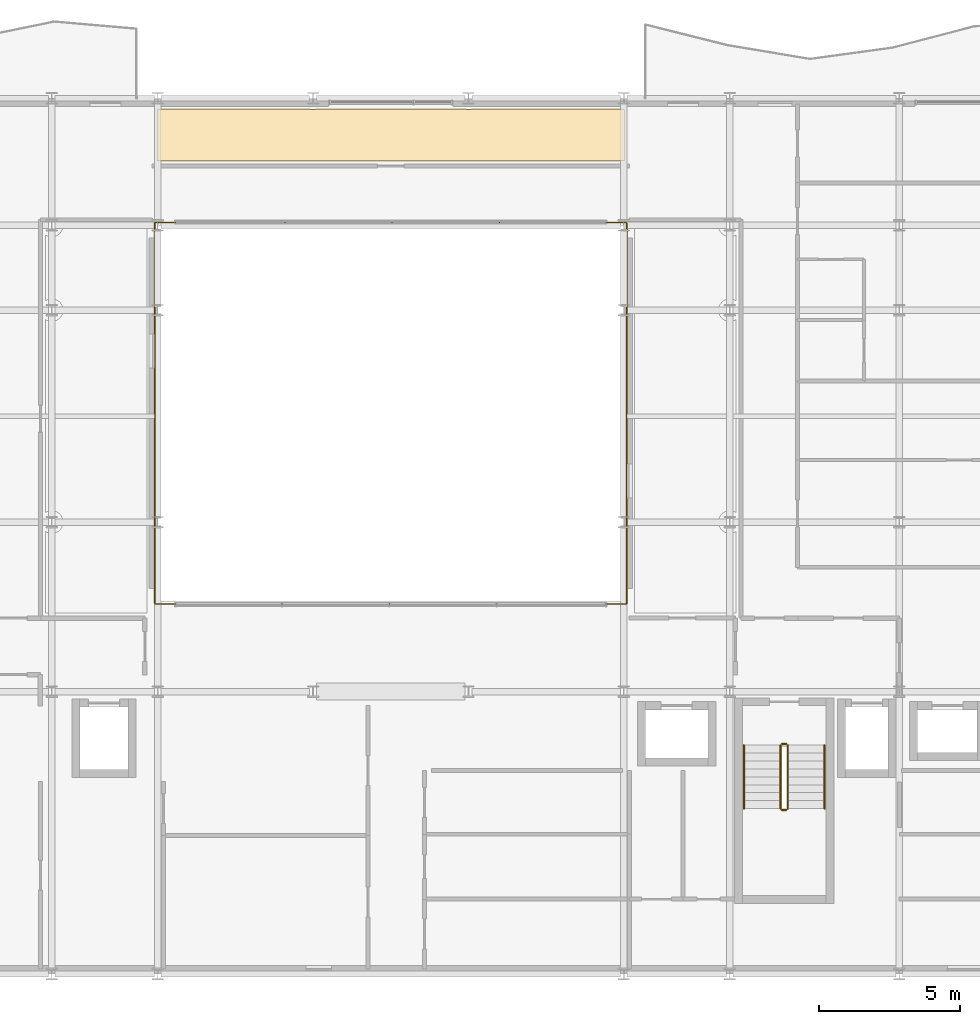
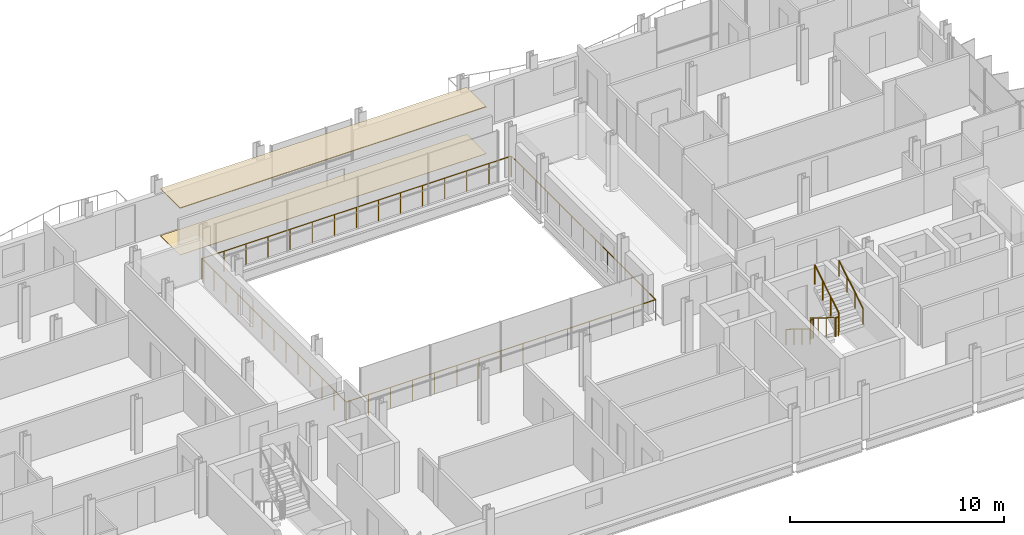
# One storey, part 38 of 39: 8 railings, 2 coverings.
"""IFC4 building model written with IfcOpenShell, lengths in metres."""

from ifc_helpers import new_model, si_unit, direction, frame, origin, origin_2d, place, context, subcontext, project, spatial, polyline, circle, outline, extrude, material, layer, layer_set, type_object, element, save


model = new_model("IFC4")

# Units and contexts
model_context = context("Model", 3, precision=1e-05, world=origin(), true_north=direction((0.0, 1.0)))
body_context = subcontext(model_context, "Body", "Model", "MODEL_VIEW")
ifc_project = project(units=[si_unit("LENGTHUNIT", "METRE"), si_unit("AREAUNIT", "SQUARE_METRE"), si_unit("VOLUMEUNIT", "CUBIC_METRE"), si_unit("PLANEANGLEUNIT", "RADIAN"), si_unit("MASSUNIT", "GRAM", prefix="KILO")], contexts=[model_context])

# Site, building, storey
site_placement = place(None, origin())
site = spatial("IfcSite", under=ifc_project, at=site_placement, CompositionType="ELEMENT")
building_placement = place(site_placement, origin())
building = spatial("IfcBuilding", under=site, at=building_placement, Name="Brevholm Reach", CompositionType="ELEMENT")
storey_placement = place(building_placement, frame((0.0, 0.0, 154.199951171875)))
storey = spatial("IfcBuildingStorey", under=building, at=storey_placement, Name="L46", CompositionType="ELEMENT", Elevation=154.199951171875)

# Coverings
ifc_material_1 = material(Name="Perforated Mineral-Fibre Class-A Acoustic Suspended Ceiling", Category="gypsum")
ifc_layer_1 = layer(ifc_material_1, 0.044921875)
ifc_layer_set_1 = layer_set([ifc_layer_1], Name="Perforated Mineral-Fibre Class-A Acoustic Suspended Ceiling")
covering_type_1 = type_object("IfcCoveringType", Name="COV-CLG-AC", PredefinedType="CEILING", material=ifc_layer_set_1)
covering_1_placement = place(storey_placement, frame((0.0, 0.0, 2.6650390625)))
element("IfcCovering", 1, at=covering_1_placement, inside=storey, type_object=covering_type_1, Name="L46 Suspended Ceiling L46-58", PredefinedType="CEILING", context=body_context, shape_type="SweptSolid", body=[
    extrude(outline(polyline([(27.126220703125, 30.6201171875), (27.1337890625, 30.6171875), (27.172119140625, 30.607666015625), (27.210693359375, 30.601806640625), (27.25, 30.60009765625), (27.289306640625, 30.601806640625), (27.327880859375, 30.607666015625), (27.3662109375, 30.6171875), (27.373779296875, 30.6201171875), (32.626220703125, 30.6201171875), (32.6337890625, 30.6171875), (32.672119140625, 30.607666015625), (32.710693359375, 30.601806640625), (32.75, 30.60009765625), (32.789306640625, 30.601806640625), (32.827880859375, 30.607666015625), (32.8662109375, 30.6171875), (32.873779296875, 30.6201171875), (38.126220703125, 30.6201171875), (38.1337890625, 30.6171875), (38.172119140625, 30.607666015625), (38.210693359375, 30.601806640625), (38.25, 30.60009765625), (38.26611328125, 30.600830078125), (38.26611328125, 28.783935546875), (21.73388671875, 28.783935546875), (21.73388671875, 30.600830078125), (21.75, 30.60009765625), (21.789306640625, 30.601806640625), (21.827880859375, 30.607666015625), (21.8662109375, 30.6171875), (21.873779296875, 30.6201171875), (27.126220703125, 30.6201171875)])), origin(), (0.0, 0.0, 1.0), 0.044921875),
])
ifc_material_2 = material(Name="Engineered European Oak Acoustic Plank Flooring", Category="timber")
ifc_layer_2 = layer(ifc_material_2, 0.02197265625)
ifc_layer_set_2 = layer_set([ifc_layer_2], Name="Engineered European Oak Acoustic Plank Flooring")
covering_type_2 = type_object("IfcCoveringType", Name="COV-FLR-OAK", PredefinedType="FLOORING", material=ifc_layer_set_2)
covering_2_placement = place(storey_placement, origin())
element("IfcCovering", 2, at=covering_2_placement, inside=storey, type_object=covering_type_2, Name="L46 Floor Finish L46-58", PredefinedType="FLOORING", context=body_context, shape_type="SweptSolid", body=[
    extrude(outline(polyline([(27.126220703125, 30.6201171875), (27.1337890625, 30.6171875), (27.172119140625, 30.607666015625), (27.210693359375, 30.601806640625), (27.25, 30.60009765625), (27.289306640625, 30.601806640625), (27.327880859375, 30.607666015625), (27.3662109375, 30.6171875), (27.373779296875, 30.6201171875), (32.626220703125, 30.6201171875), (32.6337890625, 30.6171875), (32.672119140625, 30.607666015625), (32.710693359375, 30.601806640625), (32.75, 30.60009765625), (32.789306640625, 30.601806640625), (32.827880859375, 30.607666015625), (32.8662109375, 30.6171875), (32.873779296875, 30.6201171875), (38.126220703125, 30.6201171875), (38.1337890625, 30.6171875), (38.172119140625, 30.607666015625), (38.210693359375, 30.601806640625), (38.25, 30.60009765625), (38.26611328125, 30.600830078125), (38.26611328125, 28.783935546875), (21.73388671875, 28.783935546875), (21.73388671875, 30.600830078125), (21.75, 30.60009765625), (21.789306640625, 30.601806640625), (21.827880859375, 30.607666015625), (21.8662109375, 30.6171875), (21.873779296875, 30.6201171875), (27.126220703125, 30.6201171875)])), origin(), (0.0, 0.0, 1.0), 0.02197265625),
])

# Railings
ifc_material_3 = material(Name="Brushed Stainless Steel EN 1.4401 Continuous Handrail", Category="steel")
railing_type_1 = type_object("IfcRailingType", Name="RAL-HND-950", PredefinedType="HANDRAIL", material=ifc_material_3)
railing_1_placement = place(storey_placement, frame((42.5, 8.10009765625, 0.17236328125)))
element("IfcRailing", 3, at=railing_1_placement, inside=storey, type_object=railing_type_1, Name="L46 ST-2 stair handrail 1", PredefinedType="HANDRAIL", context=body_context, shape_type="SweptSolid", body=[
    extrude(circle(Radius=0.02392578125, at=origin_2d()), frame((0.0, 0.0, 0.8857421875), z_axis=(0.0, -0.85178898068, 0.523885037382), x_axis=(1.0, 0.0, 0.0)), (0.0, 0.0, 1.0), 2.629638671875),
    extrude(circle(Radius=0.02099609375, at=origin_2d()), origin(), (0.0, 0.0, 1.0), 0.86181640625),
    extrude(circle(Radius=0.02099609375, at=origin_2d()), frame((0.0, -0.74658203125, 0.459228515625)), (0.0, 0.0, 1.0), 0.86181640625),
    extrude(circle(Radius=0.02099609375, at=origin_2d()), frame((0.0, -1.493408203125, 0.91845703125)), (0.0, 0.0, 1.0), 0.86181640625),
    extrude(circle(Radius=0.02099609375, at=origin_2d()), frame((0.0, -2.239990234375, 1.377685546875)), (0.0, 0.0, 1.0), 0.86181640625),
])
railing_2_placement = place(storey_placement, frame((45.35009765625, 5.860107421875, 1.72216796875)))
element("IfcRailing", 4, at=railing_2_placement, inside=storey, type_object=railing_type_1, Name="L46 ST-2 stair handrail 2", PredefinedType="HANDRAIL", context=body_context, shape_type="SweptSolid", body=[
    extrude(circle(Radius=0.02392578125, at=origin_2d()), frame((0.0, 0.0, 0.8857421875), z_axis=(0.0, 0.851747552033, 0.523952390591), x_axis=(-1.0, 0.0, 0.0)), (0.0, 0.0, 1.0), 2.6298828125),
    extrude(circle(Radius=0.02099609375, at=origin_2d()), origin(), (0.0, 0.0, 1.0), 0.86181640625),
    extrude(circle(Radius=0.02099609375, at=origin_2d()), frame((0.0, 0.74658203125, 0.459228515625)), (0.0, 0.0, 1.0), 0.86181640625),
    extrude(circle(Radius=0.02099609375, at=origin_2d()), frame((0.0, 1.493408203125, 0.918701171875)), (0.0, 0.0, 1.0), 0.86181640625),
    extrude(circle(Radius=0.02099609375, at=origin_2d()), frame((0.0, 2.239990234375, 1.3779296875)), (0.0, 0.0, 1.0), 0.86181640625),
])
ifc_material_4 = material(Name="Painted Tubular Galvanised Steel S275JR Stair Guard", Category="steel")
railing_type_2 = type_object("IfcRailingType", Name="RAL-STG-1120", PredefinedType="BALUSTRADE", material=ifc_material_4)
railing_3_placement = place(storey_placement, frame((43.800048828125, 8.10009765625, 0.17236328125)))
element("IfcRailing", 5, at=railing_3_placement, inside=storey, type_object=railing_type_2, Name="L46 ST-2 stair guard 1", PredefinedType="BALUSTRADE", context=body_context, shape_type="SweptSolid", body=[
    extrude(circle(Radius=0.02392578125, at=origin_2d()), frame((0.0, 0.0, 1.076171875), z_axis=(0.0, -0.85178898068, 0.523885037382), x_axis=(1.0, 0.0, 0.0)), (0.0, 0.0, 1.0), 2.629638671875),
    extrude(circle(Radius=0.02099609375, at=origin_2d()), origin(), (0.0, 0.0, 1.0), 1.052001953125),
    extrude(circle(Radius=0.02099609375, at=origin_2d()), frame((0.0, -0.74658203125, 0.459228515625)), (0.0, 0.0, 1.0), 1.052001953125),
    extrude(circle(Radius=0.02099609375, at=origin_2d()), frame((0.0, -1.493408203125, 0.91845703125)), (0.0, 0.0, 1.0), 1.052001953125),
    extrude(circle(Radius=0.02099609375, at=origin_2d()), frame((0.0, -2.239990234375, 1.377685546875)), (0.0, 0.0, 1.0), 1.052001953125),
])
railing_4_placement = place(storey_placement, frame((43.85009765625, 5.81005859375, 1.550048828125)))
element("IfcRailing", 6, at=railing_4_placement, inside=storey, type_object=railing_type_2, Name="L46 ST-2 stair guard 2", PredefinedType="BALUSTRADE", context=body_context, shape_type="SweptSolid", body=[
    extrude(circle(Radius=0.02392578125, at=origin_2d()), frame((0.0, 0.0, 1.076171875), z_axis=(1.0, 0.0, 0.0), x_axis=(0.0, 1.0, 0.0)), (0.0, 0.0, 1.0), 0.14990234375),
    extrude(circle(Radius=0.02099609375, at=origin_2d()), origin(), (0.0, 0.0, 1.0), 1.052001953125),
    extrude(circle(Radius=0.02099609375, at=origin_2d()), frame((0.14990234375, 0.0, 0.0)), (0.0, 0.0, 1.0), 1.052001953125),
])
railing_5_placement = place(storey_placement, frame((44.050048828125, 5.860107421875, 1.72216796875)))
element("IfcRailing", 7, at=railing_5_placement, inside=storey, type_object=railing_type_2, Name="L46 ST-2 stair guard 3", PredefinedType="BALUSTRADE", context=body_context, shape_type="SweptSolid", body=[
    extrude(circle(Radius=0.02392578125, at=origin_2d()), frame((0.0, 0.0, 1.076171875), z_axis=(0.0, 0.851747552033, 0.523952390591), x_axis=(-1.0, 0.0, 0.0)), (0.0, 0.0, 1.0), 2.6298828125),
    extrude(circle(Radius=0.02099609375, at=origin_2d()), origin(), (0.0, 0.0, 1.0), 1.052001953125),
    extrude(circle(Radius=0.02099609375, at=origin_2d()), frame((0.0, 0.74658203125, 0.459228515625)), (0.0, 0.0, 1.0), 1.052001953125),
    extrude(circle(Radius=0.02099609375, at=origin_2d()), frame((0.0, 1.493408203125, 0.918701171875)), (0.0, 0.0, 1.0), 1.052001953125),
    extrude(circle(Radius=0.02099609375, at=origin_2d()), frame((0.0, 2.239990234375, 1.3779296875)), (0.0, 0.0, 1.0), 1.052001953125),
])
railing_6_placement = place(storey_placement, frame((43.85009765625, 8.14990234375, 0.0)))
element("IfcRailing", 8, at=railing_6_placement, inside=storey, type_object=railing_type_2, Name="L46 ST-2 stair guard 4", PredefinedType="BALUSTRADE", context=body_context, shape_type="SweptSolid", body=[
    extrude(circle(Radius=0.02392578125, at=origin_2d()), frame((0.0, 0.0, 1.076171875), z_axis=(1.0, 0.0, 0.0), x_axis=(0.0, 1.0, 0.0)), (0.0, 0.0, 1.0), 0.14990234375),
    extrude(circle(Radius=0.02099609375, at=origin_2d()), origin(), (0.0, 0.0, 1.0), 1.052001953125),
    extrude(circle(Radius=0.02099609375, at=origin_2d()), frame((0.14990234375, 0.0, 0.0)), (0.0, 0.0, 1.0), 1.052001953125),
])
ifc_material_5 = material(Name="Brushed Stainless Steel EN 1.4401 and Laminated Glass", Category="steel")
railing_type_3 = type_object("IfcRailingType", Name="RAL-TERR-1200", PredefinedType="BALUSTRADE", material=ifc_material_5)
railing_7_placement = place(storey_placement, frame((21.64990234375, 13.10009765625, 0.0)))
element("IfcRailing", 9, at=railing_7_placement, inside=storey, type_object=railing_type_3, Name="L46 Guard Balustrade RAL-L46-AT-VOID-SW", PredefinedType="BALUSTRADE", context=body_context, shape_type="SweptSolid", body=[
    extrude(circle(Radius=0.02392578125, at=origin_2d()), frame((0.0, 0.0, 1.17578125), z_axis=(1.0, 0.0, 0.0), x_axis=(0.0, 1.0, 0.0)), (0.0, 0.0, 1.0), 16.7001953125),
    extrude(circle(Radius=0.02392578125, at=origin_2d()), frame((16.7001953125, 0.0, 1.17578125), z_axis=(0.0, 1.0, 0.0), x_axis=(-1.0, 0.0, 0.0)), (0.0, 0.0, 1.0), 13.47998046875),
    extrude(circle(Radius=0.02099609375, at=origin_2d()), origin(), (0.0, 0.0, 1.0), 1.15185546875),
    extrude(circle(Radius=0.02099609375, at=origin_2d()), frame((1.19287109375, 0.0, 0.0)), (0.0, 0.0, 1.0), 1.15185546875),
    extrude(circle(Radius=0.02099609375, at=origin_2d()), frame((2.3857421875, 0.0, 0.0)), (0.0, 0.0, 1.0), 1.15185546875),
    extrude(circle(Radius=0.02099609375, at=origin_2d()), frame((3.57861328125, 0.0, 0.0)), (0.0, 0.0, 1.0), 1.15185546875),
    extrude(circle(Radius=0.02099609375, at=origin_2d()), frame((4.771484375, 0.0, 0.0)), (0.0, 0.0, 1.0), 1.15185546875),
    extrude(circle(Radius=0.02099609375, at=origin_2d()), frame((5.96435546875, 0.0, 0.0)), (0.0, 0.0, 1.0), 1.15185546875),
    extrude(circle(Radius=0.02099609375, at=origin_2d()), frame((7.1572265625, 0.0, 0.0)), (0.0, 0.0, 1.0), 1.15185546875),
    extrude(circle(Radius=0.02099609375, at=origin_2d()), frame((8.35009765625, 0.0, 0.0)), (0.0, 0.0, 1.0), 1.15185546875),
    extrude(circle(Radius=0.02099609375, at=origin_2d()), frame((9.54296875, 0.0, 0.0)), (0.0, 0.0, 1.0), 1.15185546875),
    extrude(circle(Radius=0.02099609375, at=origin_2d()), frame((10.73583984375, 0.0, 0.0)), (0.0, 0.0, 1.0), 1.15185546875),
    extrude(circle(Radius=0.02099609375, at=origin_2d()), frame((11.9287109375, 0.0, 0.0)), (0.0, 0.0, 1.0), 1.15185546875),
    extrude(circle(Radius=0.02099609375, at=origin_2d()), frame((13.12158203125, 0.0, 0.0)), (0.0, 0.0, 1.0), 1.15185546875),
    extrude(circle(Radius=0.02099609375, at=origin_2d()), frame((14.314453125, 0.0, 0.0)), (0.0, 0.0, 1.0), 1.15185546875),
    extrude(circle(Radius=0.02099609375, at=origin_2d()), frame((15.50732421875, 0.0, 0.0)), (0.0, 0.0, 1.0), 1.15185546875),
    extrude(circle(Radius=0.02099609375, at=origin_2d()), frame((16.7001953125, 0.0, 0.0)), (0.0, 0.0, 1.0), 1.15185546875),
    extrude(circle(Radius=0.02099609375, at=origin_2d()), frame((16.7001953125, 1.123291015625, 0.0)), (0.0, 0.0, 1.0), 1.15185546875),
    extrude(circle(Radius=0.02099609375, at=origin_2d()), frame((16.7001953125, 2.24658203125, 0.0)), (0.0, 0.0, 1.0), 1.15185546875),
    extrude(circle(Radius=0.02099609375, at=origin_2d()), frame((16.7001953125, 3.3701171875, 0.0)), (0.0, 0.0, 1.0), 1.15185546875),
    extrude(circle(Radius=0.02099609375, at=origin_2d()), frame((16.7001953125, 4.493408203125, 0.0)), (0.0, 0.0, 1.0), 1.15185546875),
    extrude(circle(Radius=0.02099609375, at=origin_2d()), frame((16.7001953125, 5.61669921875, 0.0)), (0.0, 0.0, 1.0), 1.15185546875),
    extrude(circle(Radius=0.02099609375, at=origin_2d()), frame((16.7001953125, 6.739990234375, 0.0)), (0.0, 0.0, 1.0), 1.15185546875),
    extrude(circle(Radius=0.02099609375, at=origin_2d()), frame((16.7001953125, 7.86328125, 0.0)), (0.0, 0.0, 1.0), 1.15185546875),
    extrude(circle(Radius=0.02099609375, at=origin_2d()), frame((16.7001953125, 8.986572265625, 0.0)), (0.0, 0.0, 1.0), 1.15185546875),
    extrude(circle(Radius=0.02099609375, at=origin_2d()), frame((16.7001953125, 10.10986328125, 0.0)), (0.0, 0.0, 1.0), 1.15185546875),
    extrude(circle(Radius=0.02099609375, at=origin_2d()), frame((16.7001953125, 11.2333984375, 0.0)), (0.0, 0.0, 1.0), 1.15185546875),
    extrude(circle(Radius=0.02099609375, at=origin_2d()), frame((16.7001953125, 12.356689453125, 0.0)), (0.0, 0.0, 1.0), 1.15185546875),
    extrude(circle(Radius=0.02099609375, at=origin_2d()), frame((16.7001953125, 13.47998046875, 0.0)), (0.0, 0.0, 1.0), 1.15185546875),
])
railing_8_placement = place(storey_placement, frame((38.330078125, 26.60009765625, 0.0)))
element("IfcRailing", 10, at=railing_8_placement, inside=storey, type_object=railing_type_3, Name="L46 Guard Balustrade RAL-L46-AT-VOID-NE", PredefinedType="BALUSTRADE", context=body_context, shape_type="SweptSolid", body=[
    extrude(circle(Radius=0.02392578125, at=origin_2d()), frame((0.0, 0.0, 1.17578125), z_axis=(-1.0, 0.0, 0.0), x_axis=(0.0, -1.0, 0.0)), (0.0, 0.0, 1.0), 16.68017578125),
    extrude(circle(Radius=0.02392578125, at=origin_2d()), frame((-16.68017578125, 0.0, 1.17578125), z_axis=(0.0, -1.0, 0.0), x_axis=(1.0, 0.0, 0.0)), (0.0, 0.0, 1.0), 13.47998046875),
    extrude(circle(Radius=0.02099609375, at=origin_2d()), origin(), (0.0, 0.0, 1.0), 1.15185546875),
    extrude(circle(Radius=0.02099609375, at=origin_2d()), frame((-1.19140625, 0.0, 0.0)), (0.0, 0.0, 1.0), 1.15185546875),
    extrude(circle(Radius=0.02099609375, at=origin_2d()), frame((-2.3828125, 0.0, 0.0)), (0.0, 0.0, 1.0), 1.15185546875),
    extrude(circle(Radius=0.02099609375, at=origin_2d()), frame((-3.57421875, 0.0, 0.0)), (0.0, 0.0, 1.0), 1.15185546875),
    extrude(circle(Radius=0.02099609375, at=origin_2d()), frame((-4.765869140625, 0.0, 0.0)), (0.0, 0.0, 1.0), 1.15185546875),
    extrude(circle(Radius=0.02099609375, at=origin_2d()), frame((-5.957275390625, 0.0, 0.0)), (0.0, 0.0, 1.0), 1.15185546875),
    extrude(circle(Radius=0.02099609375, at=origin_2d()), frame((-7.148681640625, 0.0, 0.0)), (0.0, 0.0, 1.0), 1.15185546875),
    extrude(circle(Radius=0.02099609375, at=origin_2d()), frame((-8.340087890625, 0.0, 0.0)), (0.0, 0.0, 1.0), 1.15185546875),
    extrude(circle(Radius=0.02099609375, at=origin_2d()), frame((-9.531494140625, 0.0, 0.0)), (0.0, 0.0, 1.0), 1.15185546875),
    extrude(circle(Radius=0.02099609375, at=origin_2d()), frame((-10.722900390625, 0.0, 0.0)), (0.0, 0.0, 1.0), 1.15185546875),
    extrude(circle(Radius=0.02099609375, at=origin_2d()), frame((-11.914306640625, 0.0, 0.0)), (0.0, 0.0, 1.0), 1.15185546875),
    extrude(circle(Radius=0.02099609375, at=origin_2d()), frame((-13.10595703125, 0.0, 0.0)), (0.0, 0.0, 1.0), 1.15185546875),
    extrude(circle(Radius=0.02099609375, at=origin_2d()), frame((-14.29736328125, 0.0, 0.0)), (0.0, 0.0, 1.0), 1.15185546875),
    extrude(circle(Radius=0.02099609375, at=origin_2d()), frame((-15.48876953125, 0.0, 0.0)), (0.0, 0.0, 1.0), 1.15185546875),
    extrude(circle(Radius=0.02099609375, at=origin_2d()), frame((-16.68017578125, 0.0, 0.0)), (0.0, 0.0, 1.0), 1.15185546875),
    extrude(circle(Radius=0.02099609375, at=origin_2d()), frame((-16.68017578125, -1.123291015625, 0.0)), (0.0, 0.0, 1.0), 1.15185546875),
    extrude(circle(Radius=0.02099609375, at=origin_2d()), frame((-16.68017578125, -2.24658203125, 0.0)), (0.0, 0.0, 1.0), 1.15185546875),
    extrude(circle(Radius=0.02099609375, at=origin_2d()), frame((-16.68017578125, -3.3701171875, 0.0)), (0.0, 0.0, 1.0), 1.15185546875),
    extrude(circle(Radius=0.02099609375, at=origin_2d()), frame((-16.68017578125, -4.493408203125, 0.0)), (0.0, 0.0, 1.0), 1.15185546875),
    extrude(circle(Radius=0.02099609375, at=origin_2d()), frame((-16.68017578125, -5.61669921875, 0.0)), (0.0, 0.0, 1.0), 1.15185546875),
    extrude(circle(Radius=0.02099609375, at=origin_2d()), frame((-16.68017578125, -6.739990234375, 0.0)), (0.0, 0.0, 1.0), 1.15185546875),
    extrude(circle(Radius=0.02099609375, at=origin_2d()), frame((-16.68017578125, -7.86328125, 0.0)), (0.0, 0.0, 1.0), 1.15185546875),
    extrude(circle(Radius=0.02099609375, at=origin_2d()), frame((-16.68017578125, -8.986572265625, 0.0)), (0.0, 0.0, 1.0), 1.15185546875),
    extrude(circle(Radius=0.02099609375, at=origin_2d()), frame((-16.68017578125, -10.10986328125, 0.0)), (0.0, 0.0, 1.0), 1.15185546875),
    extrude(circle(Radius=0.02099609375, at=origin_2d()), frame((-16.68017578125, -11.2333984375, 0.0)), (0.0, 0.0, 1.0), 1.15185546875),
    extrude(circle(Radius=0.02099609375, at=origin_2d()), frame((-16.68017578125, -12.356689453125, 0.0)), (0.0, 0.0, 1.0), 1.15185546875),
    extrude(circle(Radius=0.02099609375, at=origin_2d()), frame((-16.68017578125, -13.47998046875, 0.0)), (0.0, 0.0, 1.0), 1.15185546875),
])

save(model, "model.ifc")
